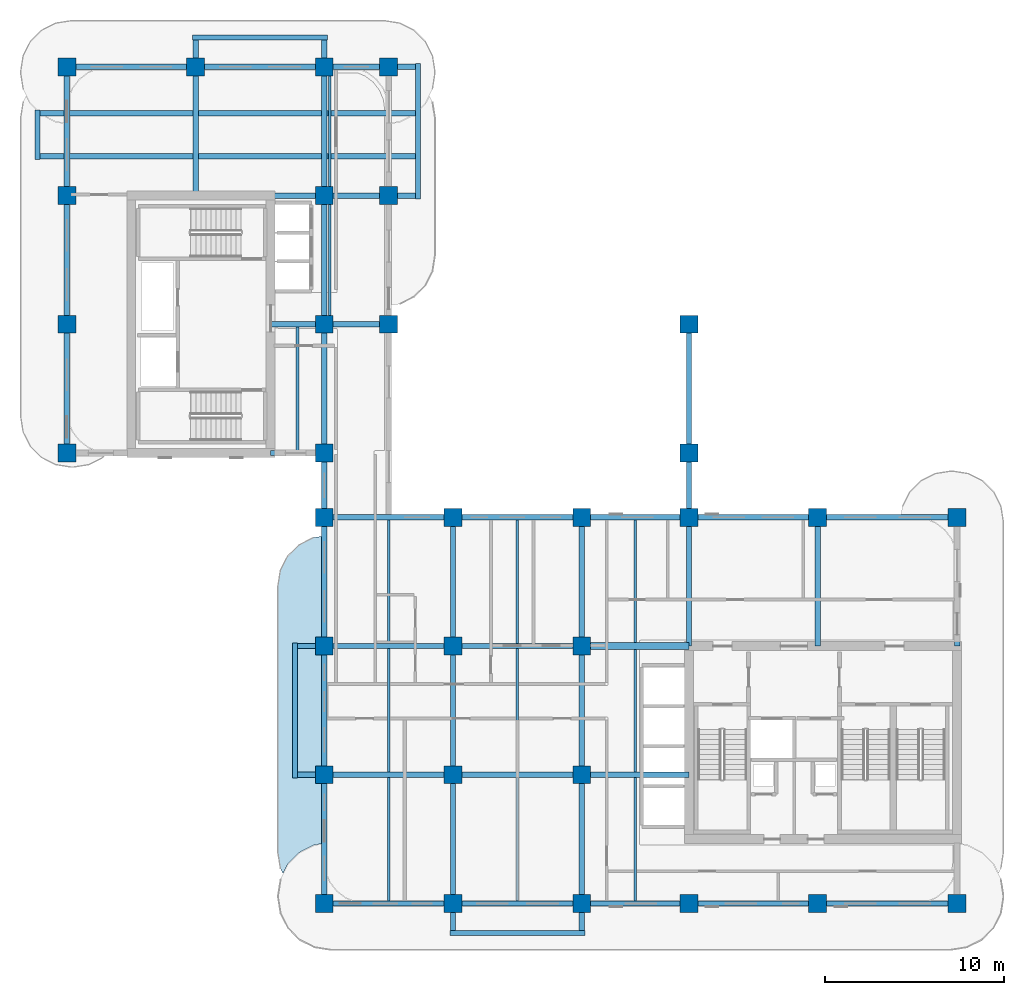
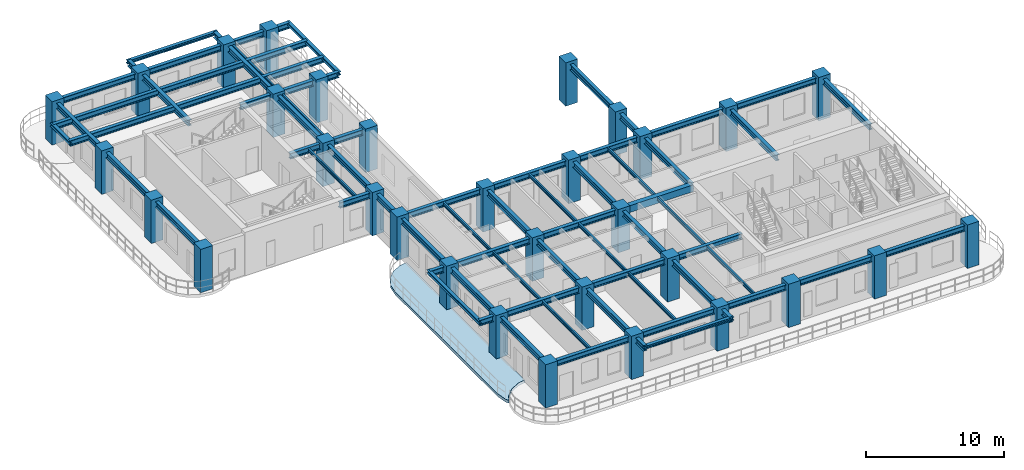
# One storey, part 1 of 15: 62 beams, 32 columns, 1 slab.
"""IFC4 building model written with IfcOpenShell, lengths in metres."""

from ifc_helpers import new_model, si_unit, derived_unit, direction, frame, origin, origin_2d, place, context, subcontext, project, spatial, polyline, rectangle, i_section, outline, extrude, source, transform, mapped, material, layer, layer_set, material_profile, profile_set, type_object, type_shapes, element, save


model = new_model("IFC4")

# Units and contexts
model_context = context("Model", 3, precision=1e-05, world=origin(), true_north=direction((0.0, 1.0)))
body_context = subcontext(model_context, "Body", "Model", "MODEL_VIEW")
ifc_project = project(units=[si_unit("LENGTHUNIT", "METRE"), si_unit("AREAUNIT", "SQUARE_METRE"), si_unit("VOLUMEUNIT", "CUBIC_METRE"), si_unit("PLANEANGLEUNIT", "RADIAN"), si_unit("MASSUNIT", "GRAM", prefix="KILO"), si_unit("THERMODYNAMICTEMPERATUREUNIT", "KELVIN"), si_unit("POWERUNIT", "WATT"), derived_unit("THERMALTRANSMITTANCEUNIT", [(si_unit("POWERUNIT", "WATT"), 1), (si_unit("AREAUNIT", "SQUARE_METRE"), -1), (si_unit("THERMODYNAMICTEMPERATUREUNIT", "KELVIN"), -1)])], contexts=[model_context])

# Site, building, storey
site_placement = place(None, origin())
site = spatial("IfcSite", under=ifc_project, at=site_placement, CompositionType="ELEMENT")
building_placement = place(site_placement, origin())
building = spatial("IfcBuilding", under=site, at=building_placement, Name="Zahravan Archway Hotel and Residences", CompositionType="ELEMENT")
storey_placement = place(building_placement, frame((0.0, 0.0, 184.949951171875)))
storey = spatial("IfcBuildingStorey", under=building, at=storey_placement, Name="L46", CompositionType="ELEMENT", Elevation=184.949951171875)

# Columns
ifc_material_1 = material(Name="Concrete C60/75", Category="concrete")
ifc_material_profile_1 = material_profile(ifc_material_1, rectangle(XDim=1.0, YDim=1.0, at=origin_2d()), Name="RC-COL-1000x1000", Category="concrete")
ifc_profile_set_1 = profile_set([ifc_material_profile_1], Name="Concrete C60/75")
column_type = type_object("IfcColumnType", Name="COL-RC-1000", PredefinedType="COLUMN", material=ifc_profile_set_1)
shared_shape_1 = source(origin(), body_context, "Body", "SweptSolid", [
    extrude(rectangle(XDim=1.0, YDim=1.0, at=origin_2d()), origin(), (0.0, 0.0, 1.0), 3.85009765625),
])
for number, where, z_axis, x_axis, name in (
    (1, (0.0, 25.199951171875, 0.0), (0.0, 0.0, 1.0), (1.0, 0.0, 0.0), "L46 Column 1-E"),
    (2, (0.0, 32.39990234375, 0.0), (0.0, 0.0, 1.0), (1.0, 0.0, 0.0), "L46 Column 1-F"),
    (3, (0.0, 39.60009765625, 0.0), (0.0, 0.0, 1.0), (1.0, 0.0, 0.0), "L46 Column 1-G"),
    (4, (0.0, 46.800048828125, 0.0), (0.0, 0.0, 1.0), (1.0, 0.0, 0.0), "L46 Column 1-H"),
    (5, (7.199951171875, 46.800048828125, 0.0), (0.0, 0.0, 1.0), (1.0, 0.0, 0.0), "L46 Column 2-H"),
    (6, (14.39990234375, 0.0, 0.0), (0.0, 0.0, 1.0), (1.0, 0.0, 0.0), "L46 Column 3-A"),
    (7, (14.39990234375, 7.199951171875, 0.0), (0.0, 0.0, 1.0), (1.0, 0.0, 0.0), "L46 Column 3-B"),
    (8, (14.39990234375, 14.39990234375, 0.0), (0.0, 0.0, 1.0), (1.0, 0.0, 0.0), "L46 Column 3-C"),
    (9, (14.39990234375, 21.60009765625, 0.0), (0.0, 0.0, 1.0), (1.0, 0.0, 0.0), "L46 Column 3-D"),
    (10, (14.39990234375, 25.199951171875, 0.0), (0.0, 0.0, 1.0), (1.0, 0.0, 0.0), "L46 Column 3-E"),
    (11, (14.39990234375, 32.39990234375, 0.0), (0.0, 0.0, 1.0), (1.0, 0.0, 0.0), "L46 Column 3-F"),
    (12, (14.39990234375, 39.60009765625, 0.0), (0.0, 0.0, 1.0), (1.0, 0.0, 0.0), "L46 Column 3-G"),
    (13, (14.39990234375, 46.800048828125, 0.0), (0.0, 0.0, 1.0), (1.0, 0.0, 0.0), "L46 Column 3-H"),
    (14, (21.60009765625, 0.0, 0.0), (0.0, 0.0, 1.0), (1.0, 0.0, 0.0), "L46 Column 4-A"),
    (15, (21.60009765625, 7.199951171875, 0.0), (0.0, 0.0, 1.0), (1.0, 0.0, 0.0), "L46 Column 4-B"),
    (16, (21.60009765625, 14.39990234375, 0.0), (0.0, 0.0, 1.0), (1.0, 0.0, 0.0), "L46 Column 4-C"),
    (17, (21.60009765625, 21.60009765625, 0.0), (0.0, 0.0, 1.0), (1.0, 0.0, 0.0), "L46 Column 4-D"),
    (18, (28.800048828125, 0.0, 0.0), (0.0, 0.0, 1.0), (1.0, 0.0, 0.0), "L46 Column 5-A"),
    (19, (28.800048828125, 7.199951171875, 0.0), (0.0, 0.0, 1.0), (1.0, 0.0, 0.0), "L46 Column 5-B"),
    (20, (28.800048828125, 14.39990234375, 0.0), (0.0, 0.0, 1.0), (1.0, 0.0, 0.0), "L46 Column 5-C"),
    (21, (28.800048828125, 21.60009765625, 0.0), (0.0, 0.0, 1.0), (1.0, 0.0, 0.0), "L46 Column 5-D"),
    (22, (34.800048828125, 0.0, 0.0), (0.0, 0.0, 1.0), (1.0, 0.0, 0.0), "L46 Column 6-A"),
    (23, (34.800048828125, 21.60009765625, 0.0), (0.0, 0.0, 1.0), (1.0, 0.0, 0.0), "L46 Column 6-D"),
    (24, (42.0, 0.0, 0.0), (0.0, 0.0, 1.0), (1.0, 0.0, 0.0), "L46 Column 7-A"),
    (25, (42.0, 21.60009765625, 0.0), (0.0, 0.0, 1.0), (1.0, 0.0, 0.0), "L46 Column 7-D"),
    (26, (49.800048828125, 0.0, 0.0), (0.0, 0.0, 1.0), (1.0, 0.0, 0.0), "L46 Column 8-A"),
    (27, (49.800048828125, 21.60009765625, 0.0), (0.0, 0.0, 1.0), (1.0, 0.0, 0.0), "L46 Column 8-D"),
    (28, (18.0, 32.39990234375, 0.0), (0.0, 0.0, 1.0), (1.0, 0.0, 0.0), "L46 Column 3B-F"),
    (29, (18.0, 39.60009765625, 0.0), (0.0, 0.0, 1.0), (1.0, 0.0, 0.0), "L46 Column 3B-G"),
    (30, (18.0, 46.800048828125, 0.0), (0.0, 0.0, 1.0), (1.0, 0.0, 0.0), "L46 Column 3B-H"),
    (31, (34.800048828125, 25.199951171875, 0.0), (0.0, 0.0, 1.0), (1.0, 0.0, 0.0), "L46 Column 6-E"),
    (32, (34.800048828125, 32.39990234375, 0.0), (0.0, 0.0, 1.0), (1.0, 0.0, 0.0), "L46 Column 6-F"),
):
    element("IfcColumn", number, at=place(storey_placement, frame(where, z_axis=z_axis, x_axis=x_axis)), inside=storey, type_object=column_type, Name=name, PredefinedType="COLUMN", context=body_context, shape_type="MappedRepresentation", body=[
        mapped(shared_shape_1, transform((0.0, 0.0, 0.0), scale=1.0)),
    ])

# Beams
ifc_material_2 = material(Name="Structural Steel S355JR", Category="steel")
ifc_material_profile_2 = material_profile(ifc_material_2, i_section(OverallWidth=0.280029296875, OverallDepth=0.280029296875, WebThickness=0.010498046875, FlangeThickness=0.01806640625, FilletRadius=0.02392578125, at=origin_2d()), Name="HEB 280", Category="steel")
ifc_profile_set_2 = profile_set([ifc_material_profile_2], Name="Structural Steel S355JR")
beam_type_1 = type_object("IfcBeamType", Name="BM-SPN-HEB280", PredefinedType="SPANDREL", material=ifc_profile_set_2)
shared_shape_2 = source(origin(), body_context, "Body", "SweptSolid", [
    extrude(i_section(OverallWidth=0.280029296875, OverallDepth=0.280029296875, WebThickness=0.010498046875, FlangeThickness=0.01806640625, FilletRadius=0.02392578125, at=origin_2d()), origin(), (0.0, 0.0, 1.0), 7.56005859375),
])
type_shapes(beam_type_1, [shared_shape_2])
for number, where, z_axis, x_axis, name in (
    (33, (12.75, 7.02001953125, 3.4599609375), (0.0, 1.0, 0.0), (-1.0, 0.0, 0.0), "L47 WA Balcony Edge Spandrel"),
    (34, (19.64990234375, 39.419921875, 3.4599609375), (0.0, 1.0, 0.0), (-1.0, 0.0, 0.0), "L47 EB Balcony Edge Spandrel"),
    (35, (21.419921875, -1.64990234375, 3.4599609375), (1.0, 0.0, 0.0), (0.0, 1.0, 0.0), "L47 SA Balcony Edge Spandrel"),
    (36, (7.02001953125, 48.449951171875, 3.4599609375), (1.0, 0.0, 0.0), (0.0, 1.0, 0.0), "L47 NB Balcony Edge Spandrel"),
):
    element("IfcBeam", number, at=place(storey_placement, frame(where, z_axis=z_axis, x_axis=x_axis)), inside=storey, type_object=beam_type_1, Name=name, PredefinedType="SPANDREL", context=body_context, shape_type="MappedRepresentation", body=[
        mapped(shared_shape_2, transform((0.0, 0.0, 0.0), scale=1.0)),
    ])
shared_shape_3 = source(origin(), body_context, "Body", "SweptSolid", [
    extrude(i_section(OverallWidth=0.280029296875, OverallDepth=0.280029296875, WebThickness=0.010498046875, FlangeThickness=0.01806640625, FilletRadius=0.02392578125, at=origin_2d()), origin(), (0.0, 0.0, 1.0), 2.759765625),
])
beam_1_placement = place(storey_placement, frame((-1.64990234375, 41.6201171875, 3.4599609375), z_axis=(0.0, 1.0, 0.0), x_axis=(-1.0, 0.0, 0.0)))
element("IfcBeam", 37, at=beam_1_placement, inside=storey, type_object=beam_type_1, Name="L47 WB Balcony Edge Spandrel", PredefinedType="SPANDREL", context=body_context, shape_type="MappedRepresentation", body=[
    mapped(shared_shape_3, transform((0.0, 0.0, 0.0), scale=1.0)),
])
ifc_material_profile_3 = material_profile(ifc_material_1, rectangle(XDim=0.39990234375, YDim=0.60009765625, at=origin_2d()), Name="RC-LNT-400x600", Category="concrete")
ifc_profile_set_3 = profile_set([ifc_material_profile_3], Name="Concrete C60/75")
beam_type_2 = type_object("IfcBeamType", Name="LNT-RC-400x600", PredefinedType="LINTEL", material=ifc_profile_set_3)
shared_shape_4 = source(origin(), body_context, "Body", "SweptSolid", [
    extrude(rectangle(XDim=0.39990234375, YDim=0.60009765625, at=origin_2d()), origin(), (0.0, 0.0, 1.0), 6.0),
])
type_shapes(beam_type_2, [shared_shape_4])
beam_2_placement = place(storey_placement, frame((28.800048828125, 14.39990234375, 3.300048828125), z_axis=(1.0, 0.0, 0.0), x_axis=(0.0, 1.0, 0.0)))
element("IfcBeam", 38, at=beam_2_placement, inside=storey, type_object=beam_type_2, Name="L46 Core A Coupling Lintel Beam", PredefinedType="LINTEL", context=body_context, shape_type="MappedRepresentation", body=[
    mapped(shared_shape_4, transform((0.0, 0.0, 0.0), scale=1.0)),
])
ifc_material_profile_4 = material_profile(ifc_material_2, i_section(OverallWidth=0.300048828125, OverallDepth=0.5, WebThickness=0.014404296875, FlangeThickness=0.028076171875, FilletRadius=0.027099609375, at=origin_2d()), Name="HEB 500", Category="steel")
ifc_profile_set_4 = profile_set([ifc_material_profile_4], Name="Structural Steel S355JR")
beam_type_3 = type_object("IfcBeamType", Name="BM-PRI-HEB500", PredefinedType="BEAM", material=ifc_profile_set_4)
shared_shape_5 = source(origin(), body_context, "Body", "SweptSolid", [
    extrude(i_section(OverallWidth=0.300048828125, OverallDepth=0.5, WebThickness=0.014404296875, FlangeThickness=0.028076171875, FilletRadius=0.027099609375, at=origin_2d()), origin(), (0.0, 0.0, 1.0), 7.2001953125),
])
type_shapes(beam_type_3, [shared_shape_5])
for number, where, z_axis, x_axis, name in (
    (39, (14.39990234375, 0.0, 3.35009765625), (1.0, 0.0, 0.0), (0.0, 1.0, 0.0), "L46 Primary Girder EW-01"),
    (40, (14.39990234375, 21.60009765625, 3.35009765625), (1.0, 0.0, 0.0), (0.0, 1.0, 0.0), "L46 Primary Girder EW-11"),
    (41, (0.0, 32.39990234375, 3.35009765625), (0.0, 1.0, 0.0), (-1.0, 0.0, 0.0), "L46 Primary Girder NS-24"),
    (42, (14.39990234375, 14.39990234375, 3.35009765625), (0.0, 1.0, 0.0), (-1.0, 0.0, 0.0), "L46 Primary Girder NS-29"),
    (43, (14.39990234375, 32.39990234375, 3.35009765625), (0.0, 1.0, 0.0), (-1.0, 0.0, 0.0), "L46 Primary Girder NS-32"),
    (44, (21.60009765625, 14.39990234375, 3.35009765625), (0.0, 1.0, 0.0), (-1.0, 0.0, 0.0), "L46 Primary Girder NS-36"),
    (45, (28.800048828125, 14.39990234375, 3.35009765625), (0.0, 1.0, 0.0), (-1.0, 0.0, 0.0), "L46 Primary Girder NS-39"),
    (46, (34.800048828125, 14.39990234375, 3.35009765625), (0.0, 1.0, 0.0), (-1.0, 0.0, 0.0), "L46 Primary Girder NS-40"),
    (47, (42.0, 14.39990234375, 3.35009765625), (0.0, 1.0, 0.0), (-1.0, 0.0, 0.0), "L46 Primary Girder NS-43"),
    (48, (49.800048828125, 14.39990234375, 3.35009765625), (0.0, 1.0, 0.0), (-1.0, 0.0, 0.0), "L46 Primary Girder NS-44"),
):
    element("IfcBeam", number, at=place(storey_placement, frame(where, z_axis=z_axis, x_axis=x_axis)), inside=storey, type_object=beam_type_3, Name=name, PredefinedType="BEAM", context=body_context, shape_type="MappedRepresentation", body=[
        mapped(shared_shape_5, transform((0.0, 0.0, 0.0), scale=1.0)),
    ])
shared_shape_6 = source(origin(), body_context, "Body", "SweptSolid", [
    extrude(i_section(OverallWidth=0.300048828125, OverallDepth=0.5, WebThickness=0.014404296875, FlangeThickness=0.028076171875, FilletRadius=0.027099609375, at=origin_2d()), origin(), (0.0, 0.0, 1.0), 7.199951171875),
])
for number, where, z_axis, x_axis, name in (
    (49, (21.60009765625, 0.0, 3.35009765625), (1.0, 0.0, 0.0), (0.0, 1.0, 0.0), "L46 Primary Girder EW-02"),
    (50, (34.800048828125, 0.0, 3.35009765625), (1.0, 0.0, 0.0), (0.0, 1.0, 0.0), "L46 Primary Girder EW-04"),
    (51, (21.60009765625, 7.199951171875, 3.35009765625), (1.0, 0.0, 0.0), (0.0, 1.0, 0.0), "L46 Primary Girder EW-07"),
    (52, (21.60009765625, 14.39990234375, 3.35009765625), (1.0, 0.0, 0.0), (0.0, 1.0, 0.0), "L46 Primary Girder EW-10"),
    (53, (21.60009765625, 21.60009765625, 3.35009765625), (1.0, 0.0, 0.0), (0.0, 1.0, 0.0), "L46 Primary Girder EW-12"),
    (54, (34.800048828125, 21.60009765625, 3.35009765625), (1.0, 0.0, 0.0), (0.0, 1.0, 0.0), "L46 Primary Girder EW-14"),
    (55, (0.0, 46.800048828125, 3.35009765625), (1.0, 0.0, 0.0), (0.0, 1.0, 0.0), "L46 Primary Girder EW-19"),
    (56, (0.0, 25.199951171875, 3.35009765625), (0.0, 1.0, 0.0), (-1.0, 0.0, 0.0), "L46 Primary Girder NS-23"),
    (57, (0.0, 39.60009765625, 3.35009765625), (0.0, 1.0, 0.0), (-1.0, 0.0, 0.0), "L46 Primary Girder NS-25"),
    (58, (14.39990234375, 0.0, 3.35009765625), (0.0, 1.0, 0.0), (-1.0, 0.0, 0.0), "L46 Primary Girder NS-27"),
    (59, (14.39990234375, 7.199951171875, 3.35009765625), (0.0, 1.0, 0.0), (-1.0, 0.0, 0.0), "L46 Primary Girder NS-28"),
    (60, (14.39990234375, 25.199951171875, 3.35009765625), (0.0, 1.0, 0.0), (-1.0, 0.0, 0.0), "L46 Primary Girder NS-31"),
    (61, (21.60009765625, 7.199951171875, 3.35009765625), (0.0, 1.0, 0.0), (-1.0, 0.0, 0.0), "L46 Primary Girder NS-35"),
    (62, (28.800048828125, 7.199951171875, 3.35009765625), (0.0, 1.0, 0.0), (-1.0, 0.0, 0.0), "L46 Primary Girder NS-38"),
    (63, (34.800048828125, 25.199951171875, 3.35009765625), (0.0, 1.0, 0.0), (-1.0, 0.0, 0.0), "L46 Primary Girder NS-42"),
):
    element("IfcBeam", number, at=place(storey_placement, frame(where, z_axis=z_axis, x_axis=x_axis)), inside=storey, type_object=beam_type_3, Name=name, PredefinedType="BEAM", context=body_context, shape_type="MappedRepresentation", body=[
        mapped(shared_shape_6, transform((0.0, 0.0, 0.0), scale=1.0)),
    ])
shared_shape_7 = source(origin(), body_context, "Body", "SweptSolid", [
    extrude(i_section(OverallWidth=0.300048828125, OverallDepth=0.5, WebThickness=0.014404296875, FlangeThickness=0.028076171875, FilletRadius=0.027099609375, at=origin_2d()), origin(), (0.0, 0.0, 1.0), 6.0),
])
for number, where, z_axis, x_axis, name in (
    (64, (28.800048828125, 0.0, 3.35009765625), (1.0, 0.0, 0.0), (0.0, 1.0, 0.0), "L46 Primary Girder EW-03"),
    (65, (28.800048828125, 7.199951171875, 3.35009765625), (1.0, 0.0, 0.0), (0.0, 1.0, 0.0), "L46 Primary Girder EW-08"),
    (66, (28.800048828125, 21.60009765625, 3.35009765625), (1.0, 0.0, 0.0), (0.0, 1.0, 0.0), "L46 Primary Girder EW-13"),
):
    element("IfcBeam", number, at=place(storey_placement, frame(where, z_axis=z_axis, x_axis=x_axis)), inside=storey, type_object=beam_type_3, Name=name, PredefinedType="BEAM", context=body_context, shape_type="MappedRepresentation", body=[
        mapped(shared_shape_7, transform((0.0, 0.0, 0.0), scale=1.0)),
    ])
shared_shape_8 = source(origin(), body_context, "Body", "SweptSolid", [
    extrude(i_section(OverallWidth=0.300048828125, OverallDepth=0.5, WebThickness=0.014404296875, FlangeThickness=0.028076171875, FilletRadius=0.027099609375, at=origin_2d()), origin(), (0.0, 0.0, 1.0), 7.800048828125),
])
for number, where, z_axis, x_axis, name in (
    (67, (42.0, 0.0, 3.35009765625), (1.0, 0.0, 0.0), (0.0, 1.0, 0.0), "L46 Primary Girder EW-05"),
    (68, (42.0, 21.60009765625, 3.35009765625), (1.0, 0.0, 0.0), (0.0, 1.0, 0.0), "L46 Primary Girder EW-15"),
):
    element("IfcBeam", number, at=place(storey_placement, frame(where, z_axis=z_axis, x_axis=x_axis)), inside=storey, type_object=beam_type_3, Name=name, PredefinedType="BEAM", context=body_context, shape_type="MappedRepresentation", body=[
        mapped(shared_shape_8, transform((0.0, 0.0, 0.0), scale=1.0)),
    ])
shared_shape_9 = source(origin(), body_context, "Body", "SweptSolid", [
    extrude(i_section(OverallWidth=0.300048828125, OverallDepth=0.5, WebThickness=0.014404296875, FlangeThickness=0.028076171875, FilletRadius=0.027099609375, at=origin_2d()), origin(), (0.0, 0.0, 1.0), 3.0),
])
beam_3_placement = place(storey_placement, frame((11.39990234375, 25.199951171875, 3.35009765625), z_axis=(1.0, 0.0, 0.0), x_axis=(0.0, 1.0, 0.0)))
element("IfcBeam", 69, at=beam_3_placement, inside=storey, type_object=beam_type_3, Name="L46 Primary Girder EW-16", PredefinedType="BEAM", context=body_context, shape_type="MappedRepresentation", body=[
    mapped(shared_shape_9, transform((0.0, 0.0, 0.0), scale=1.0)),
])
shared_shape_10 = source(origin(), body_context, "Body", "SweptSolid", [
    extrude(i_section(OverallWidth=0.300048828125, OverallDepth=0.5, WebThickness=0.014404296875, FlangeThickness=0.028076171875, FilletRadius=0.027099609375, at=origin_2d()), origin(), (0.0, 0.0, 1.0), 6.60009765625),
])
beam_4_placement = place(storey_placement, frame((11.39990234375, 32.39990234375, 3.35009765625), z_axis=(1.0, 0.0, 0.0), x_axis=(0.0, 1.0, 0.0)))
element("IfcBeam", 70, at=beam_4_placement, inside=storey, type_object=beam_type_3, Name="L46 Primary Girder EW-17", PredefinedType="BEAM", context=body_context, shape_type="MappedRepresentation", body=[
    mapped(shared_shape_10, transform((0.0, 0.0, 0.0), scale=1.0)),
])
shared_shape_11 = source(origin(), body_context, "Body", "SweptSolid", [
    extrude(i_section(OverallWidth=0.300048828125, OverallDepth=0.5, WebThickness=0.014404296875, FlangeThickness=0.028076171875, FilletRadius=0.027099609375, at=origin_2d()), origin(), (0.0, 0.0, 1.0), 3.599853515625),
])
for number, where, z_axis, x_axis, name in (
    (71, (14.39990234375, 21.60009765625, 3.35009765625), (0.0, 1.0, 0.0), (-1.0, 0.0, 0.0), "L46 Primary Girder NS-30"),
    (72, (34.800048828125, 21.60009765625, 3.35009765625), (0.0, 1.0, 0.0), (-1.0, 0.0, 0.0), "L46 Primary Girder NS-41"),
):
    element("IfcBeam", number, at=place(storey_placement, frame(where, z_axis=z_axis, x_axis=x_axis)), inside=storey, type_object=beam_type_3, Name=name, PredefinedType="BEAM", context=body_context, shape_type="MappedRepresentation", body=[
        mapped(shared_shape_11, transform((0.0, 0.0, 0.0), scale=1.0)),
    ])
shared_shape_12 = source(origin(), body_context, "Body", "SweptSolid", [
    extrude(i_section(OverallWidth=0.300048828125, OverallDepth=0.5, WebThickness=0.014404296875, FlangeThickness=0.028076171875, FilletRadius=0.027099609375, at=origin_2d()), origin(), (0.0, 0.0, 1.0), 8.85009765625),
])
for number, where, z_axis, x_axis, name in (
    (73, (12.75, 7.199951171875, 3.35009765625), (1.0, 0.0, 0.0), (0.0, 1.0, 0.0), "L46 Primary Girder EW-06"),
    (74, (12.75, 14.39990234375, 3.35009765625), (1.0, 0.0, 0.0), (0.0, 1.0, 0.0), "L46 Primary Girder EW-09"),
):
    element("IfcBeam", number, at=place(storey_placement, frame(where, z_axis=z_axis, x_axis=x_axis)), inside=storey, type_object=beam_type_3, Name=name, PredefinedType="BEAM", context=body_context, shape_type="MappedRepresentation", body=[
        mapped(shared_shape_12, transform((0.0, 0.0, 0.0), scale=1.0)),
    ])
shared_shape_13 = source(origin(), body_context, "Body", "SweptSolid", [
    extrude(i_section(OverallWidth=0.300048828125, OverallDepth=0.5, WebThickness=0.014404296875, FlangeThickness=0.028076171875, FilletRadius=0.027099609375, at=origin_2d()), origin(), (0.0, 0.0, 1.0), 8.25),
])
beam_5_placement = place(storey_placement, frame((11.39990234375, 39.60009765625, 3.35009765625), z_axis=(1.0, 0.0, 0.0), x_axis=(0.0, 1.0, 0.0)))
element("IfcBeam", 75, at=beam_5_placement, inside=storey, type_object=beam_type_3, Name="L46 Primary Girder EW-18", PredefinedType="BEAM", context=body_context, shape_type="MappedRepresentation", body=[
    mapped(shared_shape_13, transform((0.0, 0.0, 0.0), scale=1.0)),
])
shared_shape_14 = source(origin(), body_context, "Body", "SweptSolid", [
    extrude(i_section(OverallWidth=0.300048828125, OverallDepth=0.5, WebThickness=0.014404296875, FlangeThickness=0.028076171875, FilletRadius=0.027099609375, at=origin_2d()), origin(), (0.0, 0.0, 1.0), 12.449951171875),
])
beam_6_placement = place(storey_placement, frame((7.199951171875, 46.800048828125, 3.35009765625), z_axis=(1.0, 0.0, 0.0), x_axis=(0.0, 1.0, 0.0)))
element("IfcBeam", 76, at=beam_6_placement, inside=storey, type_object=beam_type_3, Name="L46 Primary Girder EW-20", PredefinedType="BEAM", context=body_context, shape_type="MappedRepresentation", body=[
    mapped(shared_shape_14, transform((0.0, 0.0, 0.0), scale=1.0)),
])
shared_shape_15 = source(origin(), body_context, "Body", "SweptSolid", [
    extrude(i_section(OverallWidth=0.300048828125, OverallDepth=0.5, WebThickness=0.014404296875, FlangeThickness=0.028076171875, FilletRadius=0.027099609375, at=origin_2d()), origin(), (0.0, 0.0, 1.0), 21.2998046875),
])
for number, where, z_axis, x_axis, name in (
    (77, (-1.64990234375, 41.800048828125, 3.35009765625), (1.0, 0.0, 0.0), (0.0, 1.0, 0.0), "L46 Primary Girder EW-21"),
    (78, (-1.64990234375, 44.199951171875, 3.35009765625), (1.0, 0.0, 0.0), (0.0, 1.0, 0.0), "L46 Primary Girder EW-22"),
):
    element("IfcBeam", number, at=place(storey_placement, frame(where, z_axis=z_axis, x_axis=x_axis)), inside=storey, type_object=beam_type_3, Name=name, PredefinedType="BEAM", context=body_context, shape_type="MappedRepresentation", body=[
        mapped(shared_shape_15, transform((0.0, 0.0, 0.0), scale=1.0)),
    ])
shared_shape_16 = source(origin(), body_context, "Body", "SweptSolid", [
    extrude(i_section(OverallWidth=0.300048828125, OverallDepth=0.5, WebThickness=0.014404296875, FlangeThickness=0.028076171875, FilletRadius=0.027099609375, at=origin_2d()), origin(), (0.0, 0.0, 1.0), 8.849853515625),
])
for number, where, z_axis, x_axis, name in (
    (79, (7.199951171875, 39.60009765625, 3.35009765625), (0.0, 1.0, 0.0), (-1.0, 0.0, 0.0), "L46 Primary Girder NS-26"),
    (80, (14.39990234375, 39.60009765625, 3.35009765625), (0.0, 1.0, 0.0), (-1.0, 0.0, 0.0), "L46 Primary Girder NS-33"),
    (81, (21.60009765625, -1.64990234375, 3.35009765625), (0.0, 1.0, 0.0), (-1.0, 0.0, 0.0), "L46 Primary Girder NS-34"),
    (82, (28.800048828125, -1.64990234375, 3.35009765625), (0.0, 1.0, 0.0), (-1.0, 0.0, 0.0), "L46 Primary Girder NS-37"),
):
    element("IfcBeam", number, at=place(storey_placement, frame(where, z_axis=z_axis, x_axis=x_axis)), inside=storey, type_object=beam_type_3, Name=name, PredefinedType="BEAM", context=body_context, shape_type="MappedRepresentation", body=[
        mapped(shared_shape_16, transform((0.0, 0.0, 0.0), scale=1.0)),
    ])
ifc_material_profile_5 = material_profile(ifc_material_2, i_section(OverallWidth=0.14990234375, OverallDepth=0.300048828125, WebThickness=0.007080078125, FlangeThickness=0.0107421875, FilletRadius=0.014892578125, at=origin_2d()), Name="IPE 300", Category="steel")
ifc_profile_set_5 = profile_set([ifc_material_profile_5], Name="Structural Steel S355JR")
beam_type_4 = type_object("IfcBeamType", Name="BM-JST-IPE300", PredefinedType="JOIST", material=ifc_profile_set_5)
shared_shape_17 = source(origin(), body_context, "Body", "SweptSolid", [
    extrude(i_section(OverallWidth=0.14990234375, OverallDepth=0.300048828125, WebThickness=0.007080078125, FlangeThickness=0.0107421875, FilletRadius=0.014892578125, at=origin_2d()), origin(), (0.0, 0.0, 1.0), 6.904052734375),
])
type_shapes(beam_type_4, [shared_shape_17])
for number, where, z_axis, x_axis, name in (
    (83, (18.0, 0.14794921875, 3.449951171875), (0.0, 1.0, 0.0), (-1.0, 0.0, 0.0), "L46 Composite Floor Joist 01"),
    (84, (25.199951171875, 0.14794921875, 3.449951171875), (0.0, 1.0, 0.0), (-1.0, 0.0, 0.0), "L46 Composite Floor Joist 02"),
    (85, (31.800048828125, 0.14794921875, 3.449951171875), (0.0, 1.0, 0.0), (-1.0, 0.0, 0.0), "L46 Composite Floor Joist 03"),
    (86, (18.0, 7.347900390625, 3.449951171875), (0.0, 1.0, 0.0), (-1.0, 0.0, 0.0), "L46 Composite Floor Joist 04"),
    (87, (25.199951171875, 7.347900390625, 3.449951171875), (0.0, 1.0, 0.0), (-1.0, 0.0, 0.0), "L46 Composite Floor Joist 05"),
    (88, (12.89990234375, 25.347900390625, 3.449951171875), (0.0, 1.0, 0.0), (-1.0, 0.0, 0.0), "L46 Composite Floor Joist 10"),
    (89, (14.699951171875, 39.748046875, 3.449951171875), (0.0, 1.0, 0.0), (-1.0, 0.0, 0.0), "L46 Composite Floor Joist 12"),
):
    element("IfcBeam", number, at=place(storey_placement, frame(where, z_axis=z_axis, x_axis=x_axis)), inside=storey, type_object=beam_type_4, Name=name, PredefinedType="JOIST", context=body_context, shape_type="MappedRepresentation", body=[
        mapped(shared_shape_17, transform((0.0, 0.0, 0.0), scale=1.0)),
    ])
shared_shape_18 = source(origin(), body_context, "Body", "SweptSolid", [
    extrude(i_section(OverallWidth=0.14990234375, OverallDepth=0.300048828125, WebThickness=0.007080078125, FlangeThickness=0.0107421875, FilletRadius=0.014892578125, at=origin_2d()), origin(), (0.0, 0.0, 1.0), 6.85400390625),
])
for number, where, z_axis, x_axis, name in (
    (90, (31.800048828125, 7.347900390625, 3.449951171875), (0.0, 1.0, 0.0), (-1.0, 0.0, 0.0), "L46 Composite Floor Joist 06"),
    (91, (31.800048828125, 14.597900390625, 3.449951171875), (0.0, 1.0, 0.0), (-1.0, 0.0, 0.0), "L46 Composite Floor Joist 07"),
):
    element("IfcBeam", number, at=place(storey_placement, frame(where, z_axis=z_axis, x_axis=x_axis)), inside=storey, type_object=beam_type_4, Name=name, PredefinedType="JOIST", context=body_context, shape_type="MappedRepresentation", body=[
        mapped(shared_shape_18, transform((0.0, 0.0, 0.0), scale=1.0)),
    ])
shared_shape_19 = source(origin(), body_context, "Body", "SweptSolid", [
    extrude(i_section(OverallWidth=0.14990234375, OverallDepth=0.300048828125, WebThickness=0.007080078125, FlangeThickness=0.0107421875, FilletRadius=0.014892578125, at=origin_2d()), origin(), (0.0, 0.0, 1.0), 6.90380859375),
])
for number, where, z_axis, x_axis, name in (
    (92, (18.0, 14.548095703125, 3.449951171875), (0.0, 1.0, 0.0), (-1.0, 0.0, 0.0), "L46 Composite Floor Joist 08"),
    (93, (25.199951171875, 14.548095703125, 3.449951171875), (0.0, 1.0, 0.0), (-1.0, 0.0, 0.0), "L46 Composite Floor Joist 09"),
    (94, (14.699951171875, 32.548095703125, 3.449951171875), (0.0, 1.0, 0.0), (-1.0, 0.0, 0.0), "L46 Composite Floor Joist 11"),
):
    element("IfcBeam", number, at=place(storey_placement, frame(where, z_axis=z_axis, x_axis=x_axis)), inside=storey, type_object=beam_type_4, Name=name, PredefinedType="JOIST", context=body_context, shape_type="MappedRepresentation", body=[
        mapped(shared_shape_19, transform((0.0, 0.0, 0.0), scale=1.0)),
    ])

# Slab
ifc_material_3 = material(Name="Concrete C45/55", Category="concrete")
ifc_layer = layer(ifc_material_3, 0.25, Name="Concrete C45/55", Category="concrete")
ifc_layer_set = layer_set([ifc_layer], Name="Concrete C45/55")
slab_type = type_object("IfcSlabType", Name="SLB-BALC-250", PredefinedType="FLOOR", material=ifc_layer_set)
slab_placement = place(storey_placement, frame((0.0, 0.0, -0.25)))
element("IfcSlab", 95, at=slab_placement, inside=storey, type_object=slab_type, Name="L46 Wing A West Rounded Balcony Band", PredefinedType="FLOOR", context=body_context, shape_type="SweptSolid", body=[
    extrude(outline(polyline([(11.939453125, 1.96923828125), (11.800048828125, 2.85009765625), (11.800048828125, 17.75), (11.939453125, 18.630615234375), (12.34423828125, 19.42529296875), (12.974853515625, 20.0556640625), (13.769287109375, 20.46044921875), (14.3798828125, 20.55712890625), (14.3798828125, 3.361328125), (14.37890625, 3.361328125), (14.376953125, 3.361083984375), (13.835205078125, 3.275390625), (13.833251953125, 3.27490234375), (13.831298828125, 3.2744140625), (13.829345703125, 3.2734375), (13.0068359375, 2.8544921875), (13.005126953125, 2.853515625), (13.00341796875, 2.85205078125), (13.001953125, 2.8505859375), (12.349365234375, 2.197998046875), (12.347900390625, 2.196533203125), (12.3466796875, 2.19482421875), (12.345703125, 2.193115234375), (12.08544921875, 1.6826171875), (11.939453125, 1.96923828125)])), origin(), (0.0, 0.0, 1.0), 0.25),
])

save(model, "model.ifc")
